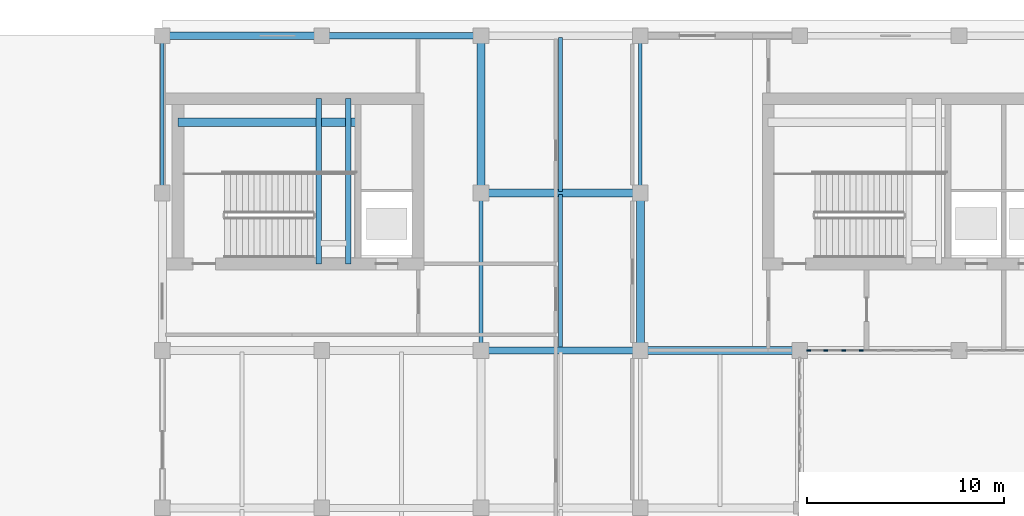
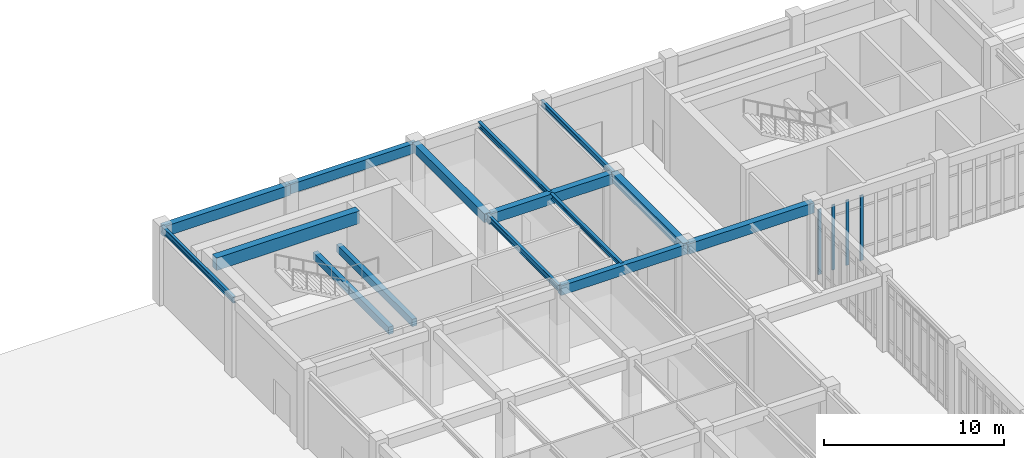
# One storey, part 14 of 62: 15 beams, 4 members, 1 element without a shape of its own.
"""IFC4 building model written with IfcOpenShell, lengths in metres."""

from ifc_helpers import new_model, si_unit, direction, frame, origin, origin_2d, place, context, subcontext, project, spatial, rectangle, i_section, extrude, material, material_profile, profile_set, type_object, element, aggregate, save


model = new_model("IFC4")

# Units and contexts
model_context = context("Model", 3, precision=1e-05, world=origin(), true_north=direction((0.0, 1.0)))
body_context = subcontext(model_context, "Body", "Model", "MODEL_VIEW")
ifc_project = project(units=[si_unit("LENGTHUNIT", "METRE"), si_unit("AREAUNIT", "SQUARE_METRE"), si_unit("VOLUMEUNIT", "CUBIC_METRE"), si_unit("PLANEANGLEUNIT", "RADIAN"), si_unit("MASSUNIT", "GRAM", prefix="KILO")], contexts=[model_context])

# Site, building, storey
site_placement = place(None, origin())
site = spatial("IfcSite", under=ifc_project, at=site_placement, CompositionType="ELEMENT")
building_placement = place(site_placement, origin())
building = spatial("IfcBuilding", under=site, at=building_placement, Name="Tarnveldt Square Police Headquarters", CompositionType="ELEMENT")
storey_placement = place(building_placement, origin())
storey = spatial("IfcBuildingStorey", under=building, at=storey_placement, Name="L00", CompositionType="ELEMENT", Elevation=0.0)

# Beams
ifc_material_1 = material(Name="Concrete 50 MPa", Category="concrete")
ifc_material_profile_1 = material_profile(ifc_material_1, rectangle(XDim=0.449951171875, YDim=0.85009765625, at=origin_2d()), Name="RC-CB450x850")
ifc_profile_set_1 = profile_set([ifc_material_profile_1], Name="Concrete 50 MPa")
beam_type_1 = type_object("IfcBeamType", Name="BM-CB450x850", PredefinedType="BEAM", material=ifc_profile_set_1)
beam_1_placement = place(storey_placement, frame((17.0, 107.60009765625, 4.97509765625), z_axis=(1.0, 0.0, 0.0), x_axis=(0.0, 1.0, 0.0)))
element("IfcBeam", 1, at=beam_1_placement, inside=storey, type_object=beam_type_1, Name="Core K2 North-West Operations Core L00 Ductile Coupling Beam", PredefinedType="BEAM", context=body_context, shape_type="SweptSolid", body=[
    extrude(rectangle(XDim=0.449951171875, YDim=0.85009765625, at=origin_2d()), origin(), (0.0, 0.0, 1.0), 9.14990234375),
])
ifc_material_2 = material(Name="Concrete 40 MPa", Category="concrete")
ifc_material_profile_2 = material_profile(ifc_material_2, rectangle(XDim=0.300048828125, YDim=0.5, at=origin_2d()), Name="RC-B300x500")
ifc_profile_set_2 = profile_set([ifc_material_profile_2], Name="Concrete 40 MPa")
beam_type_2 = type_object("IfcBeamType", Name="BM-RC300x500", PredefinedType="BEAM", material=ifc_profile_set_2)
for number, where, z_axis, x_axis, name in (
    (2, (24.14990234375, 100.39990234375, 2.25), (0.0, 1.0, 0.0), (-1.0, 0.0, 0.0), "ST2 L00 Half-Landing Support Beam 1"),
    (3, (25.64990234375, 100.39990234375, 2.25), (0.0, 1.0, 0.0), (-1.0, 0.0, 0.0), "ST2 L00 Half-Landing Transverse Support Beam"),
):
    element("IfcBeam", number, at=place(storey_placement, frame(where, z_axis=z_axis, x_axis=x_axis)), inside=storey, type_object=beam_type_2, Name=name, PredefinedType="BEAM", context=body_context, shape_type="SweptSolid", body=[
        extrude(rectangle(XDim=0.300048828125, YDim=0.5, at=origin_2d()), origin(), (0.0, 0.0, 1.0), 8.400146484375),
    ])
ifc_material_profile_3 = material_profile(ifc_material_2, rectangle(XDim=0.39990234375, YDim=0.60009765625, at=origin_2d()), Name="RC-B400x600")
ifc_profile_set_3 = profile_set([ifc_material_profile_3], Name="Concrete 40 MPa")
beam_type_3 = type_object("IfcBeamType", Name="BM-RC400x600", PredefinedType="BEAM", material=ifc_profile_set_3)
for number, where, z_axis, x_axis, name in (
    (4, (32.39990234375, 104.0, 4.820068359375), (0.0, 1.0, 0.0), (-1.0, 0.0, 0.0), "L01 Grid Girder Y-0373"),
    (5, (40.5, 96.0, 4.820068359375), (0.0, 1.0, 0.0), (-1.0, 0.0, 0.0), "L01 Grid Girder Y-0385"),
):
    element("IfcBeam", number, at=place(storey_placement, frame(where, z_axis=z_axis, x_axis=x_axis)), inside=storey, type_object=beam_type_3, Name=name, PredefinedType="BEAM", context=body_context, shape_type="SweptSolid", body=[
        extrude(rectangle(XDim=0.39990234375, YDim=0.60009765625, at=origin_2d()), origin(), (0.0, 0.0, 1.0), 8.0),
    ])
ifc_material_profile_4 = material_profile(ifc_material_2, rectangle(XDim=0.39990234375, YDim=0.699951171875, at=origin_2d()), Name="RC-B400x700")
ifc_profile_set_4 = profile_set([ifc_material_profile_4], Name="Concrete 40 MPa")
beam_type_4 = type_object("IfcBeamType", Name="BM-RC400x700", PredefinedType="BEAM", material=ifc_profile_set_4)
for number, where, z_axis, x_axis, name in (
    (6, (40.5, 96.0, 4.77001953125), (1.0, 0.0, 0.0), (0.0, 1.0, 0.0), "L01 Grid Girder X-0308"),
    (7, (32.39990234375, 104.0, 4.77001953125), (1.0, 0.0, 0.0), (0.0, 1.0, 0.0), "L01 Grid Girder X-0318"),
    (8, (16.199951171875, 112.0, 4.77001953125), (1.0, 0.0, 0.0), (0.0, 1.0, 0.0), "L01 Grid Girder X-0324"),
):
    element("IfcBeam", number, at=place(storey_placement, frame(where, z_axis=z_axis, x_axis=x_axis)), inside=storey, type_object=beam_type_4, Name=name, PredefinedType="BEAM", context=body_context, shape_type="SweptSolid", body=[
        extrude(rectangle(XDim=0.39990234375, YDim=0.699951171875, at=origin_2d()), origin(), (0.0, 0.0, 1.0), 8.10009765625),
    ])
ifc_material_profile_5 = material_profile(ifc_material_2, rectangle(XDim=0.35009765625, YDim=0.64990234375, at=origin_2d()), Name="RC-SP350x650")
ifc_profile_set_5 = profile_set([ifc_material_profile_5], Name="Concrete 40 MPa")
beam_type_5 = type_object("IfcBeamType", Name="BM-SP350x650", PredefinedType="SPANDREL", material=ifc_profile_set_5)
beam_2_placement = place(storey_placement, frame((32.39990234375, 96.0, 4.794921875), z_axis=(1.0, 0.0, 0.0), x_axis=(0.0, 1.0, 0.0)))
element("IfcBeam", 9, at=beam_2_placement, inside=storey, type_object=beam_type_5, Name="L01 Grid Girder X-0307", PredefinedType="SPANDREL", context=body_context, shape_type="SweptSolid", body=[
    extrude(rectangle(XDim=0.35009765625, YDim=0.64990234375, at=origin_2d()), origin(), (0.0, 0.0, 1.0), 8.10009765625),
])
beam_3_placement = place(storey_placement, frame((24.300048828125, 112.0, 4.794921875), z_axis=(1.0, 0.0, 0.0), x_axis=(0.0, 1.0, 0.0)))
element("IfcBeam", 10, at=beam_3_placement, inside=storey, type_object=beam_type_5, Name="L01 Grid Girder X-0325", PredefinedType="SPANDREL", context=body_context, shape_type="SweptSolid", body=[
    extrude(rectangle(XDim=0.35009765625, YDim=0.64990234375, at=origin_2d()), origin(), (0.0, 0.0, 1.0), 8.099853515625),
])
ifc_material_3 = material(Name="Steel 350W", Category="steel")
ifc_material_profile_6 = material_profile(ifc_material_3, i_section(OverallWidth=0.202880859375, OverallDepth=0.302978515625, WebThickness=0.007568359375, FlangeThickness=0.01318359375, FilletRadius=0.014892578125, at=origin_2d()), Name="W310x60")
ifc_profile_set_6 = profile_set([ifc_material_profile_6], Name="Steel 350W")
beam_type_6 = type_object("IfcBeamType", Name="BM-W310x60", PredefinedType="JOIST", material=ifc_profile_set_6)
beam_4_placement = place(storey_placement, frame((36.449951171875, 96.080078125, 4.968505859375), z_axis=(0.0, 1.0, 0.0), x_axis=(-1.0, 0.0, 0.0)))
element("IfcBeam", 11, at=beam_4_placement, inside=storey, type_object=beam_type_6, Name="L01 Secondary Floor Joist 0084", PredefinedType="JOIST", context=body_context, shape_type="SweptSolid", body=[
    extrude(i_section(OverallWidth=0.202880859375, OverallDepth=0.302978515625, WebThickness=0.007568359375, FlangeThickness=0.01318359375, FilletRadius=0.014892578125, at=origin_2d()), origin(), (0.0, 0.0, 1.0), 7.83984375),
])
ifc_material_profile_7 = material_profile(ifc_material_3, i_section(OverallWidth=0.205078125, OverallDepth=0.35400390625, WebThickness=0.009521484375, FlangeThickness=0.016845703125, FilletRadius=0.01611328125, at=origin_2d()), Name="W360x79")
ifc_profile_set_7 = profile_set([ifc_material_profile_7], Name="Steel 350W")
beam_type_7 = type_object("IfcBeamType", Name="BM-W360x79", PredefinedType="JOIST", material=ifc_profile_set_7)
beam_5_placement = place(storey_placement, frame((36.449951171875, 104.080078125, 4.943115234375), z_axis=(0.0, 1.0, 0.0), x_axis=(-1.0, 0.0, 0.0)))
element("IfcBeam", 12, at=beam_5_placement, inside=storey, type_object=beam_type_7, Name="L01 Secondary Floor Joist 0090", PredefinedType="JOIST", context=body_context, shape_type="SweptSolid", body=[
    extrude(i_section(OverallWidth=0.205078125, OverallDepth=0.35400390625, WebThickness=0.009521484375, FlangeThickness=0.016845703125, FilletRadius=0.01611328125, at=origin_2d()), origin(), (0.0, 0.0, 1.0), 7.83984375),
])
ifc_material_profile_8 = material_profile(ifc_material_3, i_section(OverallWidth=0.180908203125, OverallDepth=0.4169921875, WebThickness=0.010986328125, FlangeThickness=0.018310546875, FilletRadius=0.01611328125, at=origin_2d()), Name="W410x85")
ifc_profile_set_8 = profile_set([ifc_material_profile_8], Name="Steel 350W")
beam_type_8 = type_object("IfcBeamType", Name="BM-W410x85", PredefinedType="BEAM", material=ifc_profile_set_8)
for number, where, z_axis, x_axis, name in (
    (13, (16.199951171875, 104.0, 4.91162109375), (0.0, 1.0, 0.0), (-1.0, 0.0, 0.0), "L01 Grid Girder Y-0354"),
    (14, (32.39990234375, 96.0, 4.91162109375), (0.0, 1.0, 0.0), (-1.0, 0.0, 0.0), "L01 Grid Girder Y-0372"),
    (15, (40.5, 104.0, 4.91162109375), (0.0, 1.0, 0.0), (-1.0, 0.0, 0.0), "L01 Grid Girder Y-0386"),
):
    element("IfcBeam", number, at=place(storey_placement, frame(where, z_axis=z_axis, x_axis=x_axis)), inside=storey, type_object=beam_type_8, Name=name, PredefinedType="BEAM", context=body_context, shape_type="SweptSolid", body=[
        extrude(i_section(OverallWidth=0.180908203125, OverallDepth=0.4169921875, WebThickness=0.010986328125, FlangeThickness=0.018310546875, FilletRadius=0.01611328125, at=origin_2d()), origin(), (0.0, 0.0, 1.0), 8.0),
    ])

# Curtain wall, members
ifc_material_4 = material(Name="Triple-glazed low-e laminated vision glass", Category="glass")
curtain_wall_type = type_object("IfcCurtainWallType", Name="CW-LB-727x441", PredefinedType="USERDEFINED", material=ifc_material_4)
curtain_wall_placement = place(storey_placement, origin())
curtain_wall = element("IfcCurtainWall", 16, at=curtain_wall_placement, inside=storey, type_object=curtain_wall_type, Name="L00 Curtain Wall CW-L00-099", ObjectType="GLAZED CURTAIN WALL", PredefinedType="USERDEFINED")
ifc_material_5 = material(Name="Thermally broken anodised aluminium 6063-T6", Category="aluminium")
ifc_material_profile_9 = material_profile(ifc_material_5, rectangle(XDim=0.074951171875, YDim=0.199951171875, at=origin_2d()), Name="CW-M75x200")
ifc_profile_set_9 = profile_set([ifc_material_profile_9], Name="Thermally broken anodised aluminium 6063-T6")
member_type = type_object("IfcMemberType", Name="CWM-75x200", PredefinedType="MULLION", material=ifc_profile_set_9)
member_1_placement = place(storey_placement, frame((49.052490234375, 96.0, 0.0), z_axis=(0.0, 0.0, 1.0), x_axis=(0.0, 1.0, 0.0)))
member_1 = element("IfcMember", 17, at=member_1_placement, type_object=member_type, Name="CW-LB56 mullion 1", PredefinedType="MULLION", context=body_context, shape_type="SweptSolid", body=[
    extrude(rectangle(XDim=0.074951171875, YDim=0.199951171875, at=origin_2d()), origin(), (0.0, 0.0, 1.0), 4.412109375),
])
member_2_placement = place(storey_placement, frame((49.923828125, 96.0, 0.0), z_axis=(0.0, 0.0, 1.0), x_axis=(0.0, 1.0, 0.0)))
member_2 = element("IfcMember", 18, at=member_2_placement, type_object=member_type, Name="CW-LB56 mullion 2", PredefinedType="MULLION", context=body_context, shape_type="SweptSolid", body=[
    extrude(rectangle(XDim=0.074951171875, YDim=0.199951171875, at=origin_2d()), origin(), (0.0, 0.0, 1.0), 4.412109375),
])
member_3_placement = place(storey_placement, frame((50.83251953125, 96.0, 0.0), z_axis=(0.0, 0.0, 1.0), x_axis=(0.0, 1.0, 0.0)))
member_3 = element("IfcMember", 19, at=member_3_placement, type_object=member_type, Name="CW-LB56 mullion 3", PredefinedType="MULLION", context=body_context, shape_type="SweptSolid", body=[
    extrude(rectangle(XDim=0.074951171875, YDim=0.199951171875, at=origin_2d()), origin(), (0.0, 0.0, 1.0), 4.412109375),
])
member_4_placement = place(storey_placement, frame((51.7412109375, 96.0, 0.0), z_axis=(0.0, 0.0, 1.0), x_axis=(0.0, 1.0, 0.0)))
member_4 = element("IfcMember", 20, at=member_4_placement, type_object=member_type, Name="CW-LB56 mullion 4", PredefinedType="MULLION", context=body_context, shape_type="SweptSolid", body=[
    extrude(rectangle(XDim=0.074951171875, YDim=0.199951171875, at=origin_2d()), origin(), (0.0, 0.0, 1.0), 4.412109375),
])
aggregate(curtain_wall, [member_1, member_2, member_3, member_4])

save(model, "model.ifc")
